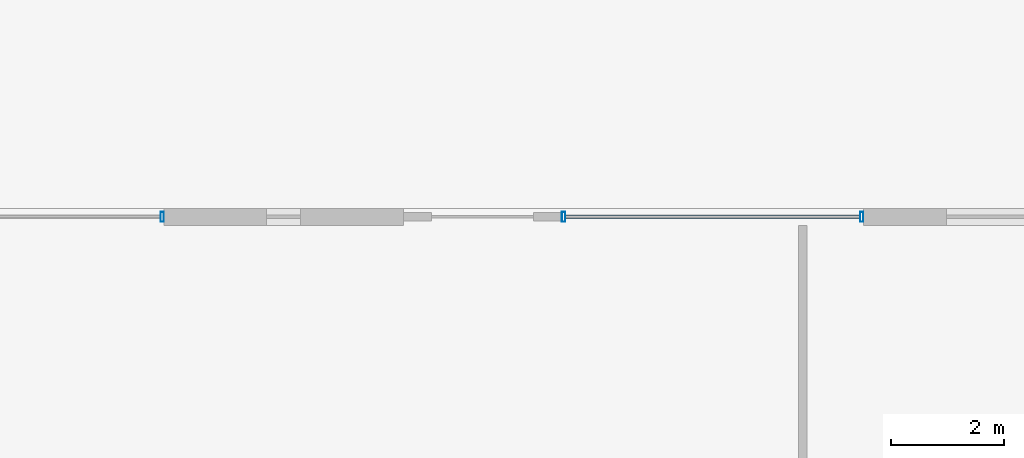
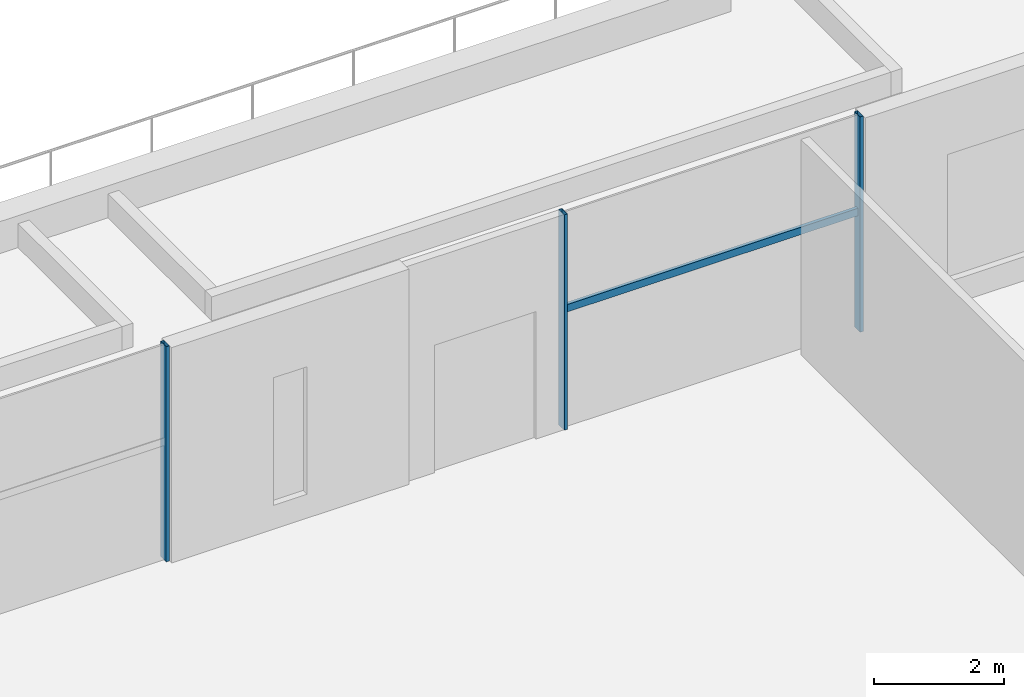
# One storey, part 10 of 26: 4 members, 2 elements without a shape of their own.
"""IFC4 building model written with IfcOpenShell, lengths in metres."""

from ifc_helpers import new_model, si_unit, direction, frame, origin, origin_2d, place, context, subcontext, project, spatial, hollow_rectangle, extrude, material, material_profile, profile_set, type_object, element, aggregate, save


model = new_model("IFC4")

# Units and contexts
model_context = context("Model", 3, precision=1e-05, world=origin(), true_north=direction((0.0, 1.0)))
body_context = subcontext(model_context, "Body", "Model", "MODEL_VIEW")
ifc_project = project(units=[si_unit("LENGTHUNIT", "METRE"), si_unit("AREAUNIT", "SQUARE_METRE"), si_unit("VOLUMEUNIT", "CUBIC_METRE"), si_unit("PLANEANGLEUNIT", "RADIAN"), si_unit("MASSUNIT", "GRAM", prefix="KILO")], contexts=[model_context])

# Site, building, storey
site_placement = place(None, origin())
site = spatial("IfcSite", under=ifc_project, at=site_placement, CompositionType="ELEMENT")
building_placement = place(site_placement, origin())
building = spatial("IfcBuilding", under=site, at=building_placement, Name="Altepetl Exchange Towers", CompositionType="ELEMENT")
storey_placement = place(building_placement, frame((0.0, 0.0, 16.5)))
storey = spatial("IfcBuildingStorey", under=building, at=storey_placement, Name="L03 Podium terrace", CompositionType="ELEMENT", Elevation=16.5)

# Curtain wall, members
ifc_material_1 = material(Name="Aluminium 6063-T6 glazing", Category="aluminium")
curtain_wall_type = type_object("IfcCurtainWallType", Name="Podium storefront system", PredefinedType="NOTDEFINED", material=ifc_material_1)
curtain_wall_1_placement = place(storey_placement, origin())
curtain_wall_1 = element("IfcCurtainWall", 1, at=curtain_wall_1_placement, inside=storey, type_object=curtain_wall_type, Name="CW5 run", PredefinedType="NOTDEFINED")
ifc_material_2 = material(Name="Aluminium 6063-T6", Category="aluminium")
ifc_material_profile_1 = material_profile(ifc_material_2, hollow_rectangle(XDim=0.06005859375, YDim=0.175048828125, WallThickness=0.0029296875, at=origin_2d()), Name="Mullion 60x175 aluminium")
ifc_profile_set_1 = profile_set([ifc_material_profile_1], Name="Aluminium 6063-T6")
member_type_1 = type_object("IfcMemberType", Name="Mullion 60x175 aluminium", PredefinedType="MULLION", material=ifc_profile_set_1)
member_1_placement = place(storey_placement, frame((95.544921875, 71.85009765625, 0.0), z_axis=(0.0, 0.0, 1.0), x_axis=(-1.0, 0.0, 0.0)))
member_1 = element("IfcMember", 2, at=member_1_placement, type_object=member_type_1, Name="MU4 mullion", PredefinedType="MULLION", context=body_context, shape_type="SweptSolid", body=[
    extrude(hollow_rectangle(XDim=0.06005859375, YDim=0.175048828125, WallThickness=0.0029296875, at=origin_2d()), origin(), (0.0, 0.0, 1.0), 4.050048828125),
])
member_2_placement = place(storey_placement, frame((90.280029296875, 71.85009765625, 0.0), z_axis=(0.0, 0.0, 1.0), x_axis=(-1.0, 0.0, 0.0)))
member_2 = element("IfcMember", 3, at=member_2_placement, type_object=member_type_1, Name="MU4 mullion", PredefinedType="MULLION", context=body_context, shape_type="SweptSolid", body=[
    extrude(hollow_rectangle(XDim=0.06005859375, YDim=0.175048828125, WallThickness=0.0029296875, at=origin_2d()), origin(), (0.0, 0.0, 1.0), 4.050048828125),
])

# Curtain wall, member
curtain_wall_2_placement = place(storey_placement, origin())
curtain_wall_2 = element("IfcCurtainWall", 4, at=curtain_wall_2_placement, inside=storey, type_object=curtain_wall_type, Name="CW5 run", PredefinedType="NOTDEFINED")
member_3_placement = place(storey_placement, frame((83.195068359375, 71.85009765625, 0.0), z_axis=(0.0, 0.0, 1.0), x_axis=(-1.0, 0.0, 0.0)))
member_3 = element("IfcMember", 5, at=member_3_placement, type_object=member_type_1, Name="MU4 mullion", PredefinedType="MULLION", context=body_context, shape_type="SweptSolid", body=[
    extrude(hollow_rectangle(XDim=0.06005859375, YDim=0.175048828125, WallThickness=0.0029296875, at=origin_2d()), origin(), (0.0, 0.0, 1.0), 4.050048828125),
])
aggregate(curtain_wall_2, [member_3])

# Member
ifc_material_profile_2 = material_profile(ifc_material_2, hollow_rectangle(XDim=0.06005859375, YDim=0.139892578125, WallThickness=0.0029296875, at=origin_2d()), Name="Transom 60x140 aluminium")
ifc_profile_set_2 = profile_set([ifc_material_profile_2], Name="Aluminium 6063-T6")
member_type_2 = type_object("IfcMemberType", Name="Transom 60x140 aluminium", PredefinedType="USERDEFINED", material=ifc_profile_set_2)
member_4_placement = place(storey_placement, frame((95.514892578125, 71.85009765625, 2.22998046875), z_axis=(-1.0, 0.0, 0.0), x_axis=(0.0, -1.0, 0.0)))
member_4 = element("IfcMember", 6, at=member_4_placement, type_object=member_type_2, Name="TR3 transom", ObjectType="TRANSOM", PredefinedType="USERDEFINED", context=body_context, shape_type="SweptSolid", body=[
    extrude(hollow_rectangle(XDim=0.06005859375, YDim=0.139892578125, WallThickness=0.0029296875, at=origin_2d()), origin(), (0.0, 0.0, 1.0), 5.204833984375),
])

aggregate(curtain_wall_1, [member_1, member_2, member_4])

save(model, "model.ifc")
